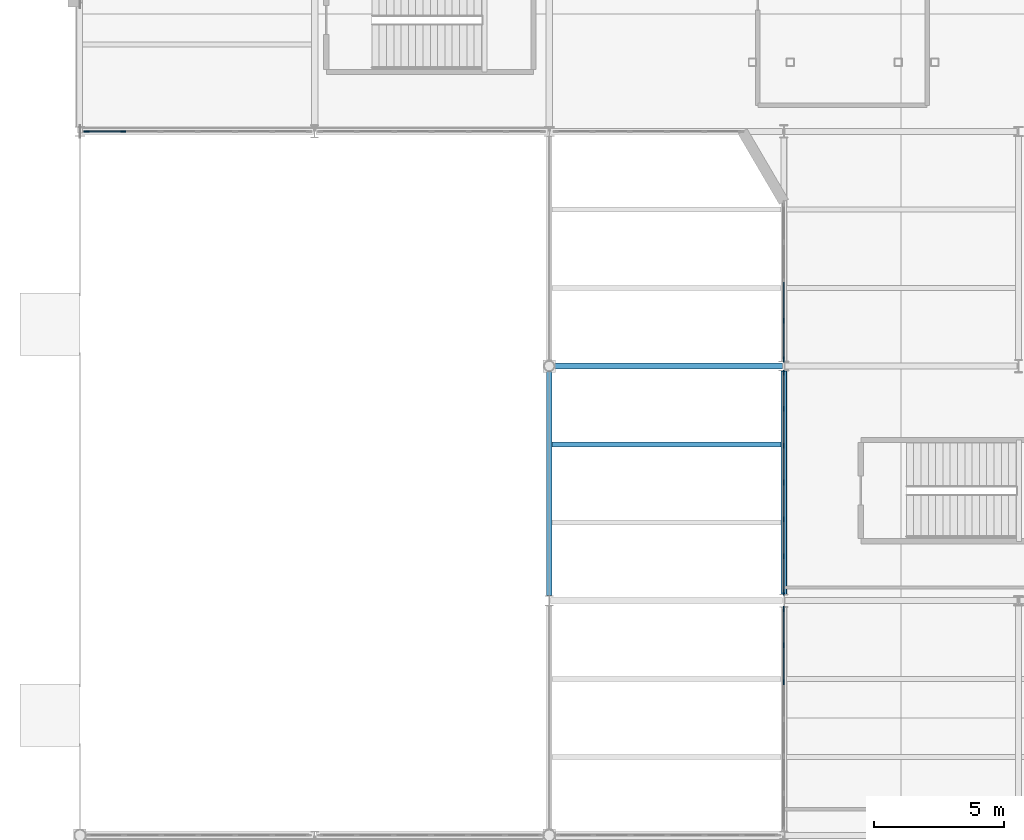
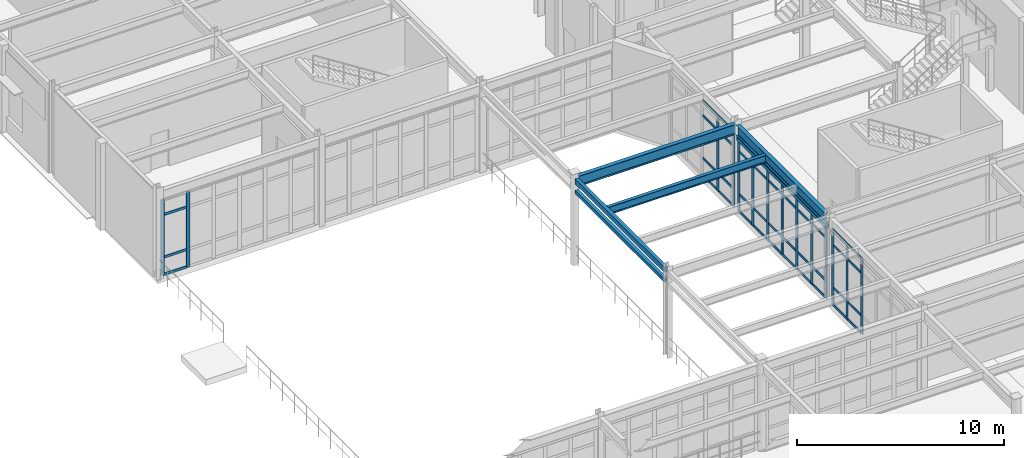
# One storey, part 28 of 79: 57 members, 6 beams, 4 elements without a shape of their own.
"""IFC4 building model written with IfcOpenShell, lengths in metres."""

from ifc_helpers import new_model, si_unit, direction, frame, origin, origin_2d, place, context, subcontext, project, spatial, rectangle, hollow_rectangle, i_section, extrude, material, material_profile, profile_set, type_object, element, aggregate, save


model = new_model("IFC4")

# Units and contexts
model_context = context("Model", 3, precision=1e-05, world=origin(), true_north=direction((0.0, 1.0)))
body_context = subcontext(model_context, "Body", "Model", "MODEL_VIEW")
ifc_project = project(units=[si_unit("LENGTHUNIT", "METRE"), si_unit("AREAUNIT", "SQUARE_METRE"), si_unit("VOLUMEUNIT", "CUBIC_METRE"), si_unit("PLANEANGLEUNIT", "RADIAN"), si_unit("MASSUNIT", "GRAM", prefix="KILO")], contexts=[model_context])

# Site, building, storey
site_placement = place(None, origin())
site = spatial("IfcSite", under=ifc_project, at=site_placement, CompositionType="ELEMENT")
building_placement = place(site_placement, origin())
building = spatial("IfcBuilding", under=site, at=building_placement, Name="Glasvene Arena", CompositionType="ELEMENT")
storey_placement = place(building_placement, origin())
storey = spatial("IfcBuildingStorey", under=building, at=storey_placement, Name="L00", CompositionType="ELEMENT", Elevation=0.0)

# Beams
ifc_material_1 = material(Name="Steel S355J2", Category="steel")
ifc_material_profile_1 = material_profile(ifc_material_1, i_section(OverallWidth=0.228271484375, OverallDepth=0.607666015625, WebThickness=0.010986328125, FlangeThickness=0.017333984375, FilletRadius=0.0126953125, at=origin_2d()), Name="UKB 610x229x113")
ifc_profile_set_1 = profile_set([ifc_material_profile_1], Name="Steel S355J2")
beam_type_1 = type_object("IfcBeamType", Name="BM-GIRD-610", PredefinedType="BEAM", material=ifc_profile_set_1)
beam_1_placement = place(storey_placement, frame((18.1982421875, 45.0, 4.816162109375), z_axis=(1.0, 0.0, 0.0), x_axis=(0.0, 1.0, 0.0)))
element("IfcBeam", 1, at=beam_1_placement, inside=storey, type_object=beam_type_1, Name="Primary X girder L00-0305", PredefinedType="BEAM", context=body_context, shape_type="SweptSolid", body=[
    extrude(i_section(OverallWidth=0.228271484375, OverallDepth=0.607666015625, WebThickness=0.010986328125, FlangeThickness=0.017333984375, FilletRadius=0.0126953125, at=origin_2d()), origin(), (0.0, 0.0, 1.0), 8.751708984375),
])
beam_2_placement = place(storey_placement, frame((27.0, 36.2451171875, 4.816162109375), z_axis=(0.0, 1.0, 0.0), x_axis=(-1.0, 0.0, 0.0)))
element("IfcBeam", 2, at=beam_2_placement, inside=storey, type_object=beam_type_1, Name="Primary Y girder L00-0379", PredefinedType="BEAM", context=body_context, shape_type="SweptSolid", body=[
    extrude(i_section(OverallWidth=0.228271484375, OverallDepth=0.607666015625, WebThickness=0.010986328125, FlangeThickness=0.017333984375, FilletRadius=0.0126953125, at=origin_2d()), origin(), (0.0, 0.0, 1.0), 8.57568359375),
])
ifc_material_profile_2 = material_profile(ifc_material_1, i_section(OverallWidth=0.1904296875, OverallDepth=0.45703125, WebThickness=0.009033203125, FlangeThickness=0.014404296875, FilletRadius=0.01025390625, at=origin_2d()), Name="UKB 457x191x74")
ifc_profile_set_2 = profile_set([ifc_material_profile_2], Name="Steel S355J2")
beam_type_2 = type_object("IfcBeamType", Name="BM-JOIST-457", PredefinedType="JOIST", material=ifc_profile_set_2)
beam_3_placement = place(storey_placement, frame((18.095947265625, 42.0, 4.8916015625), z_axis=(1.0, 0.0, 0.0), x_axis=(0.0, 1.0, 0.0)))
element("IfcBeam", 3, at=beam_3_placement, inside=storey, type_object=beam_type_2, Name="Composite floor joist L00-0451", PredefinedType="JOIST", context=body_context, shape_type="SweptSolid", body=[
    extrude(i_section(OverallWidth=0.1904296875, OverallDepth=0.45703125, WebThickness=0.009033203125, FlangeThickness=0.014404296875, FilletRadius=0.01025390625, at=origin_2d()), origin(), (0.0, 0.0, 1.0), 8.7939453125),
])
ifc_material_profile_3 = material_profile(ifc_material_1, hollow_rectangle(XDim=0.199951171875, YDim=0.199951171875, WallThickness=0.010009765625, at=origin_2d()), Name="SHS 200x200x10.0")
ifc_profile_set_3 = profile_set([ifc_material_profile_3], Name="Steel S355J2")
beam_type_3 = type_object("IfcBeamType", Name="BM-LINTEL-200", PredefinedType="LINTEL", material=ifc_profile_set_3)
beam_4_placement = place(storey_placement, frame((18.0, 36.196044921875, 4.340087890625), z_axis=(0.0, 1.0, 0.0), x_axis=(-1.0, 0.0, 0.0)))
element("IfcBeam", 4, at=beam_4_placement, inside=storey, type_object=beam_type_3, Name="Passage portal lintel L00-2-4", PredefinedType="LINTEL", context=body_context, shape_type="SweptSolid", body=[
    extrude(hollow_rectangle(XDim=0.199951171875, YDim=0.199951171875, WallThickness=0.010009765625, at=origin_2d()), origin(), (0.0, 0.0, 1.0), 8.604736328125),
])
beam_5_placement = place(storey_placement, frame((27.0, 36.24609375, 4.340087890625), z_axis=(0.0, 1.0, 0.0), x_axis=(-1.0, 0.0, 0.0)))
element("IfcBeam", 5, at=beam_5_placement, inside=storey, type_object=beam_type_3, Name="Passage portal lintel L00-3-4", PredefinedType="LINTEL", context=body_context, shape_type="SweptSolid", body=[
    extrude(hollow_rectangle(XDim=0.199951171875, YDim=0.199951171875, WallThickness=0.010009765625, at=origin_2d()), origin(), (0.0, 0.0, 1.0), 8.57373046875),
])
ifc_material_profile_4 = material_profile(ifc_material_1, hollow_rectangle(XDim=0.199951171875, YDim=0.300048828125, WallThickness=0.012451171875, at=origin_2d()), Name="RHS 300x200x12.5")
ifc_profile_set_4 = profile_set([ifc_material_profile_4], Name="Steel S355J2")
beam_type_4 = type_object("IfcBeamType", Name="BM-SPAND-300", PredefinedType="SPANDREL", material=ifc_profile_set_4)
beam_6_placement = place(storey_placement, frame((18.0, 36.195068359375, 4.969970703125), z_axis=(0.0, 1.0, 0.0), x_axis=(-1.0, 0.0, 0.0)))
element("IfcBeam", 6, at=beam_6_placement, inside=storey, type_object=beam_type_4, Name="Primary Y girder L00-0371", PredefinedType="SPANDREL", context=body_context, shape_type="SweptSolid", body=[
    extrude(hollow_rectangle(XDim=0.199951171875, YDim=0.300048828125, WallThickness=0.012451171875, at=origin_2d()), origin(), (0.0, 0.0, 1.0), 8.606689453125),
])

# Curtain wall, members
ifc_material_2 = material(Name="Low-emissivity laminated double glazing", Category="glass")
curtain_wall_type_1 = type_object("IfcCurtainWallType", Name="CW-FAC-L00-858x445", PredefinedType="USERDEFINED", material=ifc_material_2)
curtain_wall_1_placement = place(storey_placement, frame((8.80810546875, 54.0, 0.0)))
curtain_wall_1 = element("IfcCurtainWall", 7, at=curtain_wall_1_placement, inside=storey, type_object=curtain_wall_type_1, Name="Unitised curtain wall CW-F-L00-180-45-540-3", ObjectType="CURTAIN WALL", PredefinedType="USERDEFINED")
ifc_material_3 = material(Name="Anodised architectural aluminium", Category="aluminium")
ifc_material_profile_5 = material_profile(ifc_material_3, rectangle(XDim=0.050048828125, YDim=0.199951171875, at=origin_2d()), Name="ALU MULLION 50x200")
ifc_profile_set_5 = profile_set([ifc_material_profile_5], Name="Anodised architectural aluminium")
member_type_1 = type_object("IfcMemberType", Name="CW-MUL-180", PredefinedType="MULLION", material=ifc_profile_set_5)
member_1_placement = place(storey_placement, frame((1.658203125, 54.0, 0.06005859375), z_axis=(0.0, 0.0, 1.0), x_axis=(0.0, -1.0, 0.0)))
member_1 = element("IfcMember", 8, at=member_1_placement, type_object=member_type_1, Name="CW-002 mullion 6", PredefinedType="MULLION", context=body_context, shape_type="SweptSolid", body=[
    extrude(rectangle(XDim=0.050048828125, YDim=0.199951171875, at=origin_2d()), origin(), (0.0, 0.0, 1.0), 4.447021484375),
])
member_2_placement = place(storey_placement, frame((0.25341796875, 54.0, 0.06005859375), z_axis=(0.0, 0.0, 1.0), x_axis=(0.0, -1.0, 0.0)))
member_2 = element("IfcMember", 9, at=member_2_placement, type_object=member_type_1, Name="CW-002 mullion 7", PredefinedType="MULLION", context=body_context, shape_type="SweptSolid", body=[
    extrude(rectangle(XDim=0.050048828125, YDim=0.199951171875, at=origin_2d()), origin(), (0.0, 0.0, 1.0), 4.447021484375),
])

curtain_wall_type_2 = type_object("IfcCurtainWallType", Name="CW-FAC-L00-851x445", PredefinedType="USERDEFINED", material=ifc_material_2)
curtain_wall_2_placement = place(storey_placement, frame((27.0, 27.202392578125, 0.0)))
curtain_wall_2 = element("IfcCurtainWall", 10, at=curtain_wall_2_placement, inside=storey, type_object=curtain_wall_type_2, Name="Unitised curtain wall CW-F-L00-180-270-315-81", ObjectType="CURTAIN WALL", PredefinedType="USERDEFINED")
member_3_placement = place(storey_placement, frame((27.0, 32.872802734375, 0.06005859375), z_axis=(0.0, 0.0, 1.0), x_axis=(-1.0, 0.0, 0.0)))
member_3 = element("IfcMember", 11, at=member_3_placement, type_object=member_type_1, Name="CW-004 mullion 5", PredefinedType="MULLION", context=body_context, shape_type="SweptSolid", body=[
    extrude(rectangle(XDim=0.050048828125, YDim=0.199951171875, at=origin_2d()), origin(), (0.0, 0.0, 1.0), 4.447021484375),
])
member_4_placement = place(storey_placement, frame((27.0, 34.290283203125, 0.06005859375), z_axis=(0.0, 0.0, 1.0), x_axis=(-1.0, 0.0, 0.0)))
member_4 = element("IfcMember", 12, at=member_4_placement, type_object=member_type_1, Name="CW-004 mullion 6", PredefinedType="MULLION", context=body_context, shape_type="SweptSolid", body=[
    extrude(rectangle(XDim=0.050048828125, YDim=0.199951171875, at=origin_2d()), origin(), (0.0, 0.0, 1.0), 4.447021484375),
])
member_5_placement = place(storey_placement, frame((27.0, 35.68310546875, 0.06005859375), z_axis=(0.0, 0.0, 1.0), x_axis=(-1.0, 0.0, 0.0)))
member_5 = element("IfcMember", 13, at=member_5_placement, type_object=member_type_1, Name="CW-004 mullion 7", PredefinedType="MULLION", context=body_context, shape_type="SweptSolid", body=[
    extrude(rectangle(XDim=0.050048828125, YDim=0.199951171875, at=origin_2d()), origin(), (0.0, 0.0, 1.0), 4.447021484375),
])

curtain_wall_type_3 = type_object("IfcCurtainWallType", Name="CW-FAC-L00-848x445", PredefinedType="USERDEFINED", material=ifc_material_2)
curtain_wall_3_placement = place(storey_placement, frame((27.0, 36.2919921875, 0.0)))
curtain_wall_3 = element("IfcCurtainWall", 14, at=curtain_wall_3_placement, inside=storey, type_object=curtain_wall_type_3, Name="Unitised curtain wall CW-F-L00-180-270-405-82", ObjectType="CURTAIN WALL", PredefinedType="USERDEFINED")
member_6_placement = place(storey_placement, frame((27.0, 36.31689453125, 0.06005859375), z_axis=(0.0, 0.0, 1.0), x_axis=(-1.0, 0.0, 0.0)))
member_6 = element("IfcMember", 15, at=member_6_placement, type_object=member_type_1, Name="CW-005 mullion 1", PredefinedType="MULLION", context=body_context, shape_type="SweptSolid", body=[
    extrude(rectangle(XDim=0.050048828125, YDim=0.199951171875, at=origin_2d()), origin(), (0.0, 0.0, 1.0), 4.447021484375),
])
member_7_placement = place(storey_placement, frame((27.0, 37.70556640625, 0.06005859375), z_axis=(0.0, 0.0, 1.0), x_axis=(-1.0, 0.0, 0.0)))
member_7 = element("IfcMember", 16, at=member_7_placement, type_object=member_type_1, Name="CW-005 mullion 2", PredefinedType="MULLION", context=body_context, shape_type="SweptSolid", body=[
    extrude(rectangle(XDim=0.050048828125, YDim=0.199951171875, at=origin_2d()), origin(), (0.0, 0.0, 1.0), 4.447021484375),
])
member_8_placement = place(storey_placement, frame((27.0, 39.119384765625, 0.06005859375), z_axis=(0.0, 0.0, 1.0), x_axis=(-1.0, 0.0, 0.0)))
member_8 = element("IfcMember", 17, at=member_8_placement, type_object=member_type_1, Name="CW-005 mullion 3", PredefinedType="MULLION", context=body_context, shape_type="SweptSolid", body=[
    extrude(rectangle(XDim=0.050048828125, YDim=0.199951171875, at=origin_2d()), origin(), (0.0, 0.0, 1.0), 4.447021484375),
])
member_9_placement = place(storey_placement, frame((27.0, 40.532958984375, 0.06005859375), z_axis=(0.0, 0.0, 1.0), x_axis=(-1.0, 0.0, 0.0)))
member_9 = element("IfcMember", 18, at=member_9_placement, type_object=member_type_1, Name="CW-005 mullion 4", PredefinedType="MULLION", context=body_context, shape_type="SweptSolid", body=[
    extrude(rectangle(XDim=0.050048828125, YDim=0.199951171875, at=origin_2d()), origin(), (0.0, 0.0, 1.0), 4.447021484375),
])
member_10_placement = place(storey_placement, frame((27.0, 41.946533203125, 0.06005859375), z_axis=(0.0, 0.0, 1.0), x_axis=(-1.0, 0.0, 0.0)))
member_10 = element("IfcMember", 19, at=member_10_placement, type_object=member_type_1, Name="CW-005 mullion 5", PredefinedType="MULLION", context=body_context, shape_type="SweptSolid", body=[
    extrude(rectangle(XDim=0.050048828125, YDim=0.199951171875, at=origin_2d()), origin(), (0.0, 0.0, 1.0), 4.447021484375),
])
member_11_placement = place(storey_placement, frame((27.0, 43.3603515625, 0.06005859375), z_axis=(0.0, 0.0, 1.0), x_axis=(-1.0, 0.0, 0.0)))
member_11 = element("IfcMember", 20, at=member_11_placement, type_object=member_type_1, Name="CW-005 mullion 6", PredefinedType="MULLION", context=body_context, shape_type="SweptSolid", body=[
    extrude(rectangle(XDim=0.050048828125, YDim=0.199951171875, at=origin_2d()), origin(), (0.0, 0.0, 1.0), 4.447021484375),
])
member_12_placement = place(storey_placement, frame((27.0, 44.748779296875, 0.06005859375), z_axis=(0.0, 0.0, 1.0), x_axis=(-1.0, 0.0, 0.0)))
member_12 = element("IfcMember", 21, at=member_12_placement, type_object=member_type_1, Name="CW-005 mullion 7", PredefinedType="MULLION", context=body_context, shape_type="SweptSolid", body=[
    extrude(rectangle(XDim=0.050048828125, YDim=0.199951171875, at=origin_2d()), origin(), (0.0, 0.0, 1.0), 4.447021484375),
])

curtain_wall_type_4 = type_object("IfcCurtainWallType", Name="CW-FAC-L00-603x445", PredefinedType="USERDEFINED", material=ifc_material_2)
curtain_wall_4_placement = place(storey_placement, frame((27.0, 45.22607421875, 0.0)))
curtain_wall_4 = element("IfcCurtainWall", 22, at=curtain_wall_4_placement, inside=storey, type_object=curtain_wall_type_4, Name="Unitised curtain wall CW-F-L00-180-270-482-83", ObjectType="CURTAIN WALL", PredefinedType="USERDEFINED")
member_13_placement = place(storey_placement, frame((27.0, 45.251220703125, 0.06005859375), z_axis=(0.0, 0.0, 1.0), x_axis=(-1.0, 0.0, 0.0)))
member_13 = element("IfcMember", 23, at=member_13_placement, type_object=member_type_1, Name="CW-006 mullion 1", PredefinedType="MULLION", context=body_context, shape_type="SweptSolid", body=[
    extrude(rectangle(XDim=0.050048828125, YDim=0.199951171875, at=origin_2d()), origin(), (0.0, 0.0, 1.0), 4.447021484375),
])
member_14_placement = place(storey_placement, frame((27.0, 46.734619140625, 0.06005859375), z_axis=(0.0, 0.0, 1.0), x_axis=(-1.0, 0.0, 0.0)))
member_14 = element("IfcMember", 24, at=member_14_placement, type_object=member_type_1, Name="CW-006 mullion 2", PredefinedType="MULLION", context=body_context, shape_type="SweptSolid", body=[
    extrude(rectangle(XDim=0.050048828125, YDim=0.199951171875, at=origin_2d()), origin(), (0.0, 0.0, 1.0), 4.447021484375),
])

# Member
ifc_material_profile_6 = material_profile(ifc_material_3, rectangle(XDim=0.050048828125, YDim=0.14990234375, at=origin_2d()), Name="ALU TRANSOM 50x150")
ifc_profile_set_6 = profile_set([ifc_material_profile_6], Name="Anodised architectural aluminium")
member_type_2 = type_object("IfcMemberType", Name="CW-TRN-150", PredefinedType="USERDEFINED", material=ifc_profile_set_6)
member_15_placement = place(storey_placement, frame((1.63330078125, 54.0, 0.0849609375), z_axis=(-1.0, 0.0, 0.0), x_axis=(0.0, -1.0, 0.0)))
member_15 = element("IfcMember", 25, at=member_15_placement, type_object=member_type_2, Name="CW-002 transom 6.1", ObjectType="TRANSOM", PredefinedType="USERDEFINED", context=body_context, shape_type="SweptSolid", body=[
    extrude(rectangle(XDim=0.050048828125, YDim=0.14990234375, at=origin_2d()), origin(), (0.0, 0.0, 1.0), 1.35498046875),
])

member_16_placement = place(storey_placement, frame((1.63330078125, 54.0, 1.10009765625), z_axis=(-1.0, 0.0, 0.0), x_axis=(0.0, -1.0, 0.0)))
member_16 = element("IfcMember", 26, at=member_16_placement, type_object=member_type_2, Name="CW-002 transom 6.2", ObjectType="TRANSOM", PredefinedType="USERDEFINED", context=body_context, shape_type="SweptSolid", body=[
    extrude(rectangle(XDim=0.050048828125, YDim=0.14990234375, at=origin_2d()), origin(), (0.0, 0.0, 1.0), 1.35498046875),
])

member_17_placement = place(storey_placement, frame((1.63330078125, 54.0, 3.60693359375), z_axis=(-1.0, 0.0, 0.0), x_axis=(0.0, -1.0, 0.0)))
member_17 = element("IfcMember", 27, at=member_17_placement, type_object=member_type_2, Name="CW-002 transom 6.3", ObjectType="TRANSOM", PredefinedType="USERDEFINED", context=body_context, shape_type="SweptSolid", body=[
    extrude(rectangle(XDim=0.050048828125, YDim=0.14990234375, at=origin_2d()), origin(), (0.0, 0.0, 1.0), 1.35498046875),
])

aggregate(curtain_wall_1, [member_1, member_2, member_15, member_16, member_17])

member_18_placement = place(storey_placement, frame((27.0, 32.897705078125, 0.0849609375), z_axis=(0.0, 1.0, 0.0), x_axis=(-1.0, 0.0, 0.0)))
member_18 = element("IfcMember", 28, at=member_18_placement, type_object=member_type_2, Name="CW-004 transom 5.1", ObjectType="TRANSOM", PredefinedType="USERDEFINED", context=body_context, shape_type="SweptSolid", body=[
    extrude(rectangle(XDim=0.050048828125, YDim=0.14990234375, at=origin_2d()), origin(), (0.0, 0.0, 1.0), 1.36767578125),
])

member_19_placement = place(storey_placement, frame((27.0, 32.897705078125, 1.10009765625), z_axis=(0.0, 1.0, 0.0), x_axis=(-1.0, 0.0, 0.0)))
member_19 = element("IfcMember", 29, at=member_19_placement, type_object=member_type_2, Name="CW-004 transom 5.2", ObjectType="TRANSOM", PredefinedType="USERDEFINED", context=body_context, shape_type="SweptSolid", body=[
    extrude(rectangle(XDim=0.050048828125, YDim=0.14990234375, at=origin_2d()), origin(), (0.0, 0.0, 1.0), 1.36767578125),
])

member_20_placement = place(storey_placement, frame((27.0, 32.897705078125, 3.60693359375), z_axis=(0.0, 1.0, 0.0), x_axis=(-1.0, 0.0, 0.0)))
member_20 = element("IfcMember", 30, at=member_20_placement, type_object=member_type_2, Name="CW-004 transom 5.3", ObjectType="TRANSOM", PredefinedType="USERDEFINED", context=body_context, shape_type="SweptSolid", body=[
    extrude(rectangle(XDim=0.050048828125, YDim=0.14990234375, at=origin_2d()), origin(), (0.0, 0.0, 1.0), 1.36767578125),
])

member_21_placement = place(storey_placement, frame((27.0, 32.897705078125, 4.48193359375), z_axis=(0.0, 1.0, 0.0), x_axis=(-1.0, 0.0, 0.0)))
member_21 = element("IfcMember", 31, at=member_21_placement, type_object=member_type_2, Name="CW-004 transom 5.4", ObjectType="TRANSOM", PredefinedType="USERDEFINED", context=body_context, shape_type="SweptSolid", body=[
    extrude(rectangle(XDim=0.050048828125, YDim=0.14990234375, at=origin_2d()), origin(), (0.0, 0.0, 1.0), 1.36767578125),
])

member_22_placement = place(storey_placement, frame((27.0, 34.3154296875, 0.0849609375), z_axis=(0.0, 1.0, 0.0), x_axis=(-1.0, 0.0, 0.0)))
member_22 = element("IfcMember", 32, at=member_22_placement, type_object=member_type_2, Name="CW-004 transom 6.1", ObjectType="TRANSOM", PredefinedType="USERDEFINED", context=body_context, shape_type="SweptSolid", body=[
    extrude(rectangle(XDim=0.050048828125, YDim=0.14990234375, at=origin_2d()), origin(), (0.0, 0.0, 1.0), 1.342529296875),
])

member_23_placement = place(storey_placement, frame((27.0, 34.3154296875, 1.10009765625), z_axis=(0.0, 1.0, 0.0), x_axis=(-1.0, 0.0, 0.0)))
member_23 = element("IfcMember", 33, at=member_23_placement, type_object=member_type_2, Name="CW-004 transom 6.2", ObjectType="TRANSOM", PredefinedType="USERDEFINED", context=body_context, shape_type="SweptSolid", body=[
    extrude(rectangle(XDim=0.050048828125, YDim=0.14990234375, at=origin_2d()), origin(), (0.0, 0.0, 1.0), 1.342529296875),
])

member_24_placement = place(storey_placement, frame((27.0, 34.3154296875, 3.60693359375), z_axis=(0.0, 1.0, 0.0), x_axis=(-1.0, 0.0, 0.0)))
member_24 = element("IfcMember", 34, at=member_24_placement, type_object=member_type_2, Name="CW-004 transom 6.3", ObjectType="TRANSOM", PredefinedType="USERDEFINED", context=body_context, shape_type="SweptSolid", body=[
    extrude(rectangle(XDim=0.050048828125, YDim=0.14990234375, at=origin_2d()), origin(), (0.0, 0.0, 1.0), 1.342529296875),
])

member_25_placement = place(storey_placement, frame((27.0, 34.3154296875, 4.48193359375), z_axis=(0.0, 1.0, 0.0), x_axis=(-1.0, 0.0, 0.0)))
member_25 = element("IfcMember", 35, at=member_25_placement, type_object=member_type_2, Name="CW-004 transom 6.4", ObjectType="TRANSOM", PredefinedType="USERDEFINED", context=body_context, shape_type="SweptSolid", body=[
    extrude(rectangle(XDim=0.050048828125, YDim=0.14990234375, at=origin_2d()), origin(), (0.0, 0.0, 1.0), 1.342529296875),
])

aggregate(curtain_wall_2, [member_3, member_4, member_5, member_18, member_19, member_20, member_21, member_22, member_23, member_24, member_25])

member_26_placement = place(storey_placement, frame((27.0, 36.342041015625, 0.0849609375), z_axis=(0.0, 1.0, 0.0), x_axis=(-1.0, 0.0, 0.0)))
member_26 = element("IfcMember", 36, at=member_26_placement, type_object=member_type_2, Name="CW-005 transom 1.1", ObjectType="TRANSOM", PredefinedType="USERDEFINED", context=body_context, shape_type="SweptSolid", body=[
    extrude(rectangle(XDim=0.050048828125, YDim=0.14990234375, at=origin_2d()), origin(), (0.0, 0.0, 1.0), 1.338623046875),
])

member_27_placement = place(storey_placement, frame((27.0, 36.342041015625, 1.10009765625), z_axis=(0.0, 1.0, 0.0), x_axis=(-1.0, 0.0, 0.0)))
member_27 = element("IfcMember", 37, at=member_27_placement, type_object=member_type_2, Name="CW-005 transom 1.2", ObjectType="TRANSOM", PredefinedType="USERDEFINED", context=body_context, shape_type="SweptSolid", body=[
    extrude(rectangle(XDim=0.050048828125, YDim=0.14990234375, at=origin_2d()), origin(), (0.0, 0.0, 1.0), 1.338623046875),
])

member_28_placement = place(storey_placement, frame((27.0, 36.342041015625, 3.60693359375), z_axis=(0.0, 1.0, 0.0), x_axis=(-1.0, 0.0, 0.0)))
member_28 = element("IfcMember", 38, at=member_28_placement, type_object=member_type_2, Name="CW-005 transom 1.3", ObjectType="TRANSOM", PredefinedType="USERDEFINED", context=body_context, shape_type="SweptSolid", body=[
    extrude(rectangle(XDim=0.050048828125, YDim=0.14990234375, at=origin_2d()), origin(), (0.0, 0.0, 1.0), 1.338623046875),
])

member_29_placement = place(storey_placement, frame((27.0, 36.342041015625, 4.48193359375), z_axis=(0.0, 1.0, 0.0), x_axis=(-1.0, 0.0, 0.0)))
member_29 = element("IfcMember", 39, at=member_29_placement, type_object=member_type_2, Name="CW-005 transom 1.4", ObjectType="TRANSOM", PredefinedType="USERDEFINED", context=body_context, shape_type="SweptSolid", body=[
    extrude(rectangle(XDim=0.050048828125, YDim=0.14990234375, at=origin_2d()), origin(), (0.0, 0.0, 1.0), 1.338623046875),
])

member_30_placement = place(storey_placement, frame((27.0, 37.730712890625, 0.0849609375), z_axis=(0.0, 1.0, 0.0), x_axis=(-1.0, 0.0, 0.0)))
member_30 = element("IfcMember", 40, at=member_30_placement, type_object=member_type_2, Name="CW-005 transom 2.1", ObjectType="TRANSOM", PredefinedType="USERDEFINED", context=body_context, shape_type="SweptSolid", body=[
    extrude(rectangle(XDim=0.050048828125, YDim=0.14990234375, at=origin_2d()), origin(), (0.0, 0.0, 1.0), 1.363525390625),
])

member_31_placement = place(storey_placement, frame((27.0, 37.730712890625, 1.10009765625), z_axis=(0.0, 1.0, 0.0), x_axis=(-1.0, 0.0, 0.0)))
member_31 = element("IfcMember", 41, at=member_31_placement, type_object=member_type_2, Name="CW-005 transom 2.2", ObjectType="TRANSOM", PredefinedType="USERDEFINED", context=body_context, shape_type="SweptSolid", body=[
    extrude(rectangle(XDim=0.050048828125, YDim=0.14990234375, at=origin_2d()), origin(), (0.0, 0.0, 1.0), 1.363525390625),
])

member_32_placement = place(storey_placement, frame((27.0, 37.730712890625, 3.60693359375), z_axis=(0.0, 1.0, 0.0), x_axis=(-1.0, 0.0, 0.0)))
member_32 = element("IfcMember", 42, at=member_32_placement, type_object=member_type_2, Name="CW-005 transom 2.3", ObjectType="TRANSOM", PredefinedType="USERDEFINED", context=body_context, shape_type="SweptSolid", body=[
    extrude(rectangle(XDim=0.050048828125, YDim=0.14990234375, at=origin_2d()), origin(), (0.0, 0.0, 1.0), 1.363525390625),
])

member_33_placement = place(storey_placement, frame((27.0, 37.730712890625, 4.48193359375), z_axis=(0.0, 1.0, 0.0), x_axis=(-1.0, 0.0, 0.0)))
member_33 = element("IfcMember", 43, at=member_33_placement, type_object=member_type_2, Name="CW-005 transom 2.4", ObjectType="TRANSOM", PredefinedType="USERDEFINED", context=body_context, shape_type="SweptSolid", body=[
    extrude(rectangle(XDim=0.050048828125, YDim=0.14990234375, at=origin_2d()), origin(), (0.0, 0.0, 1.0), 1.363525390625),
])

member_34_placement = place(storey_placement, frame((27.0, 39.144287109375, 0.0849609375), z_axis=(0.0, 1.0, 0.0), x_axis=(-1.0, 0.0, 0.0)))
member_34 = element("IfcMember", 44, at=member_34_placement, type_object=member_type_2, Name="CW-005 transom 3.1", ObjectType="TRANSOM", PredefinedType="USERDEFINED", context=body_context, shape_type="SweptSolid", body=[
    extrude(rectangle(XDim=0.050048828125, YDim=0.14990234375, at=origin_2d()), origin(), (0.0, 0.0, 1.0), 1.36376953125),
])

member_35_placement = place(storey_placement, frame((27.0, 39.144287109375, 1.10009765625), z_axis=(0.0, 1.0, 0.0), x_axis=(-1.0, 0.0, 0.0)))
member_35 = element("IfcMember", 45, at=member_35_placement, type_object=member_type_2, Name="CW-005 transom 3.2", ObjectType="TRANSOM", PredefinedType="USERDEFINED", context=body_context, shape_type="SweptSolid", body=[
    extrude(rectangle(XDim=0.050048828125, YDim=0.14990234375, at=origin_2d()), origin(), (0.0, 0.0, 1.0), 1.36376953125),
])

member_36_placement = place(storey_placement, frame((27.0, 39.144287109375, 3.60693359375), z_axis=(0.0, 1.0, 0.0), x_axis=(-1.0, 0.0, 0.0)))
member_36 = element("IfcMember", 46, at=member_36_placement, type_object=member_type_2, Name="CW-005 transom 3.3", ObjectType="TRANSOM", PredefinedType="USERDEFINED", context=body_context, shape_type="SweptSolid", body=[
    extrude(rectangle(XDim=0.050048828125, YDim=0.14990234375, at=origin_2d()), origin(), (0.0, 0.0, 1.0), 1.36376953125),
])

member_37_placement = place(storey_placement, frame((27.0, 39.144287109375, 4.48193359375), z_axis=(0.0, 1.0, 0.0), x_axis=(-1.0, 0.0, 0.0)))
member_37 = element("IfcMember", 47, at=member_37_placement, type_object=member_type_2, Name="CW-005 transom 3.4", ObjectType="TRANSOM", PredefinedType="USERDEFINED", context=body_context, shape_type="SweptSolid", body=[
    extrude(rectangle(XDim=0.050048828125, YDim=0.14990234375, at=origin_2d()), origin(), (0.0, 0.0, 1.0), 1.36376953125),
])

member_38_placement = place(storey_placement, frame((27.0, 40.557861328125, 0.0849609375), z_axis=(0.0, 1.0, 0.0), x_axis=(-1.0, 0.0, 0.0)))
member_38 = element("IfcMember", 48, at=member_38_placement, type_object=member_type_2, Name="CW-005 transom 4.1", ObjectType="TRANSOM", PredefinedType="USERDEFINED", context=body_context, shape_type="SweptSolid", body=[
    extrude(rectangle(XDim=0.050048828125, YDim=0.14990234375, at=origin_2d()), origin(), (0.0, 0.0, 1.0), 1.36376953125),
])

member_39_placement = place(storey_placement, frame((27.0, 40.557861328125, 1.10009765625), z_axis=(0.0, 1.0, 0.0), x_axis=(-1.0, 0.0, 0.0)))
member_39 = element("IfcMember", 49, at=member_39_placement, type_object=member_type_2, Name="CW-005 transom 4.2", ObjectType="TRANSOM", PredefinedType="USERDEFINED", context=body_context, shape_type="SweptSolid", body=[
    extrude(rectangle(XDim=0.050048828125, YDim=0.14990234375, at=origin_2d()), origin(), (0.0, 0.0, 1.0), 1.36376953125),
])

member_40_placement = place(storey_placement, frame((27.0, 40.557861328125, 3.60693359375), z_axis=(0.0, 1.0, 0.0), x_axis=(-1.0, 0.0, 0.0)))
member_40 = element("IfcMember", 50, at=member_40_placement, type_object=member_type_2, Name="CW-005 transom 4.3", ObjectType="TRANSOM", PredefinedType="USERDEFINED", context=body_context, shape_type="SweptSolid", body=[
    extrude(rectangle(XDim=0.050048828125, YDim=0.14990234375, at=origin_2d()), origin(), (0.0, 0.0, 1.0), 1.36376953125),
])

member_41_placement = place(storey_placement, frame((27.0, 40.557861328125, 4.48193359375), z_axis=(0.0, 1.0, 0.0), x_axis=(-1.0, 0.0, 0.0)))
member_41 = element("IfcMember", 51, at=member_41_placement, type_object=member_type_2, Name="CW-005 transom 4.4", ObjectType="TRANSOM", PredefinedType="USERDEFINED", context=body_context, shape_type="SweptSolid", body=[
    extrude(rectangle(XDim=0.050048828125, YDim=0.14990234375, at=origin_2d()), origin(), (0.0, 0.0, 1.0), 1.36376953125),
])

member_42_placement = place(storey_placement, frame((27.0, 41.9716796875, 0.0849609375), z_axis=(0.0, 1.0, 0.0), x_axis=(-1.0, 0.0, 0.0)))
member_42 = element("IfcMember", 52, at=member_42_placement, type_object=member_type_2, Name="CW-005 transom 5.1", ObjectType="TRANSOM", PredefinedType="USERDEFINED", context=body_context, shape_type="SweptSolid", body=[
    extrude(rectangle(XDim=0.050048828125, YDim=0.14990234375, at=origin_2d()), origin(), (0.0, 0.0, 1.0), 1.363525390625),
])

member_43_placement = place(storey_placement, frame((27.0, 41.9716796875, 1.10009765625), z_axis=(0.0, 1.0, 0.0), x_axis=(-1.0, 0.0, 0.0)))
member_43 = element("IfcMember", 53, at=member_43_placement, type_object=member_type_2, Name="CW-005 transom 5.2", ObjectType="TRANSOM", PredefinedType="USERDEFINED", context=body_context, shape_type="SweptSolid", body=[
    extrude(rectangle(XDim=0.050048828125, YDim=0.14990234375, at=origin_2d()), origin(), (0.0, 0.0, 1.0), 1.363525390625),
])

member_44_placement = place(storey_placement, frame((27.0, 41.9716796875, 3.60693359375), z_axis=(0.0, 1.0, 0.0), x_axis=(-1.0, 0.0, 0.0)))
member_44 = element("IfcMember", 54, at=member_44_placement, type_object=member_type_2, Name="CW-005 transom 5.3", ObjectType="TRANSOM", PredefinedType="USERDEFINED", context=body_context, shape_type="SweptSolid", body=[
    extrude(rectangle(XDim=0.050048828125, YDim=0.14990234375, at=origin_2d()), origin(), (0.0, 0.0, 1.0), 1.363525390625),
])

member_45_placement = place(storey_placement, frame((27.0, 41.9716796875, 4.48193359375), z_axis=(0.0, 1.0, 0.0), x_axis=(-1.0, 0.0, 0.0)))
member_45 = element("IfcMember", 55, at=member_45_placement, type_object=member_type_2, Name="CW-005 transom 5.4", ObjectType="TRANSOM", PredefinedType="USERDEFINED", context=body_context, shape_type="SweptSolid", body=[
    extrude(rectangle(XDim=0.050048828125, YDim=0.14990234375, at=origin_2d()), origin(), (0.0, 0.0, 1.0), 1.363525390625),
])

member_46_placement = place(storey_placement, frame((27.0, 43.38525390625, 0.0849609375), z_axis=(0.0, 1.0, 0.0), x_axis=(-1.0, 0.0, 0.0)))
member_46 = element("IfcMember", 56, at=member_46_placement, type_object=member_type_2, Name="CW-005 transom 6.1", ObjectType="TRANSOM", PredefinedType="USERDEFINED", context=body_context, shape_type="SweptSolid", body=[
    extrude(rectangle(XDim=0.050048828125, YDim=0.14990234375, at=origin_2d()), origin(), (0.0, 0.0, 1.0), 1.338623046875),
])

member_47_placement = place(storey_placement, frame((27.0, 43.38525390625, 1.10009765625), z_axis=(0.0, 1.0, 0.0), x_axis=(-1.0, 0.0, 0.0)))
member_47 = element("IfcMember", 57, at=member_47_placement, type_object=member_type_2, Name="CW-005 transom 6.2", ObjectType="TRANSOM", PredefinedType="USERDEFINED", context=body_context, shape_type="SweptSolid", body=[
    extrude(rectangle(XDim=0.050048828125, YDim=0.14990234375, at=origin_2d()), origin(), (0.0, 0.0, 1.0), 1.338623046875),
])

member_48_placement = place(storey_placement, frame((27.0, 43.38525390625, 3.60693359375), z_axis=(0.0, 1.0, 0.0), x_axis=(-1.0, 0.0, 0.0)))
member_48 = element("IfcMember", 58, at=member_48_placement, type_object=member_type_2, Name="CW-005 transom 6.3", ObjectType="TRANSOM", PredefinedType="USERDEFINED", context=body_context, shape_type="SweptSolid", body=[
    extrude(rectangle(XDim=0.050048828125, YDim=0.14990234375, at=origin_2d()), origin(), (0.0, 0.0, 1.0), 1.338623046875),
])

member_49_placement = place(storey_placement, frame((27.0, 43.38525390625, 4.48193359375), z_axis=(0.0, 1.0, 0.0), x_axis=(-1.0, 0.0, 0.0)))
member_49 = element("IfcMember", 59, at=member_49_placement, type_object=member_type_2, Name="CW-005 transom 6.4", ObjectType="TRANSOM", PredefinedType="USERDEFINED", context=body_context, shape_type="SweptSolid", body=[
    extrude(rectangle(XDim=0.050048828125, YDim=0.14990234375, at=origin_2d()), origin(), (0.0, 0.0, 1.0), 1.338623046875),
])

aggregate(curtain_wall_3, [member_6, member_7, member_8, member_9, member_10, member_11, member_12, member_26, member_27, member_28, member_29, member_30, member_31, member_32, member_33, member_34, member_35, member_36, member_37, member_38, member_39, member_40, member_41, member_42, member_43, member_44, member_45, member_46, member_47, member_48, member_49])

member_50_placement = place(storey_placement, frame((27.0, 45.276123046875, 0.0849609375), z_axis=(0.0, 1.0, 0.0), x_axis=(-1.0, 0.0, 0.0)))
member_50 = element("IfcMember", 60, at=member_50_placement, type_object=member_type_2, Name="CW-006 transom 1.1", ObjectType="TRANSOM", PredefinedType="USERDEFINED", context=body_context, shape_type="SweptSolid", body=[
    extrude(rectangle(XDim=0.050048828125, YDim=0.14990234375, at=origin_2d()), origin(), (0.0, 0.0, 1.0), 1.433349609375),
])

member_51_placement = place(storey_placement, frame((27.0, 45.276123046875, 1.10009765625), z_axis=(0.0, 1.0, 0.0), x_axis=(-1.0, 0.0, 0.0)))
member_51 = element("IfcMember", 61, at=member_51_placement, type_object=member_type_2, Name="CW-006 transom 1.2", ObjectType="TRANSOM", PredefinedType="USERDEFINED", context=body_context, shape_type="SweptSolid", body=[
    extrude(rectangle(XDim=0.050048828125, YDim=0.14990234375, at=origin_2d()), origin(), (0.0, 0.0, 1.0), 1.433349609375),
])

member_52_placement = place(storey_placement, frame((27.0, 45.276123046875, 3.60693359375), z_axis=(0.0, 1.0, 0.0), x_axis=(-1.0, 0.0, 0.0)))
member_52 = element("IfcMember", 62, at=member_52_placement, type_object=member_type_2, Name="CW-006 transom 1.3", ObjectType="TRANSOM", PredefinedType="USERDEFINED", context=body_context, shape_type="SweptSolid", body=[
    extrude(rectangle(XDim=0.050048828125, YDim=0.14990234375, at=origin_2d()), origin(), (0.0, 0.0, 1.0), 1.433349609375),
])

member_53_placement = place(storey_placement, frame((27.0, 45.276123046875, 4.48193359375), z_axis=(0.0, 1.0, 0.0), x_axis=(-1.0, 0.0, 0.0)))
member_53 = element("IfcMember", 63, at=member_53_placement, type_object=member_type_2, Name="CW-006 transom 1.4", ObjectType="TRANSOM", PredefinedType="USERDEFINED", context=body_context, shape_type="SweptSolid", body=[
    extrude(rectangle(XDim=0.050048828125, YDim=0.14990234375, at=origin_2d()), origin(), (0.0, 0.0, 1.0), 1.433349609375),
])

member_54_placement = place(storey_placement, frame((27.0, 46.759521484375, 0.0849609375), z_axis=(0.0, 1.0, 0.0), x_axis=(-1.0, 0.0, 0.0)))
member_54 = element("IfcMember", 64, at=member_54_placement, type_object=member_type_2, Name="CW-006 transom 2.1", ObjectType="TRANSOM", PredefinedType="USERDEFINED", context=body_context, shape_type="SweptSolid", body=[
    extrude(rectangle(XDim=0.050048828125, YDim=0.14990234375, at=origin_2d()), origin(), (0.0, 0.0, 1.0), 1.45849609375),
])

member_55_placement = place(storey_placement, frame((27.0, 46.759521484375, 1.10009765625), z_axis=(0.0, 1.0, 0.0), x_axis=(-1.0, 0.0, 0.0)))
member_55 = element("IfcMember", 65, at=member_55_placement, type_object=member_type_2, Name="CW-006 transom 2.2", ObjectType="TRANSOM", PredefinedType="USERDEFINED", context=body_context, shape_type="SweptSolid", body=[
    extrude(rectangle(XDim=0.050048828125, YDim=0.14990234375, at=origin_2d()), origin(), (0.0, 0.0, 1.0), 1.45849609375),
])

member_56_placement = place(storey_placement, frame((27.0, 46.759521484375, 3.60693359375), z_axis=(0.0, 1.0, 0.0), x_axis=(-1.0, 0.0, 0.0)))
member_56 = element("IfcMember", 66, at=member_56_placement, type_object=member_type_2, Name="CW-006 transom 2.3", ObjectType="TRANSOM", PredefinedType="USERDEFINED", context=body_context, shape_type="SweptSolid", body=[
    extrude(rectangle(XDim=0.050048828125, YDim=0.14990234375, at=origin_2d()), origin(), (0.0, 0.0, 1.0), 1.45849609375),
])

member_57_placement = place(storey_placement, frame((27.0, 46.759521484375, 4.48193359375), z_axis=(0.0, 1.0, 0.0), x_axis=(-1.0, 0.0, 0.0)))
member_57 = element("IfcMember", 67, at=member_57_placement, type_object=member_type_2, Name="CW-006 transom 2.4", ObjectType="TRANSOM", PredefinedType="USERDEFINED", context=body_context, shape_type="SweptSolid", body=[
    extrude(rectangle(XDim=0.050048828125, YDim=0.14990234375, at=origin_2d()), origin(), (0.0, 0.0, 1.0), 1.45849609375),
])

aggregate(curtain_wall_4, [member_13, member_14, member_50, member_51, member_52, member_53, member_54, member_55, member_56, member_57])

save(model, "model.ifc")
